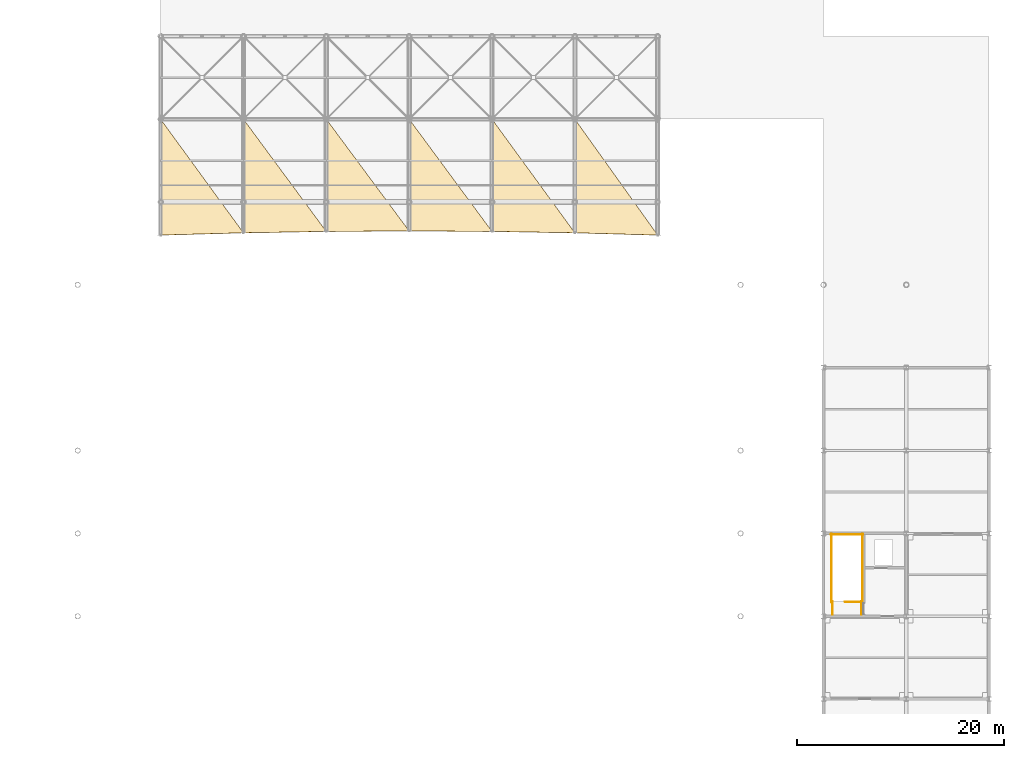
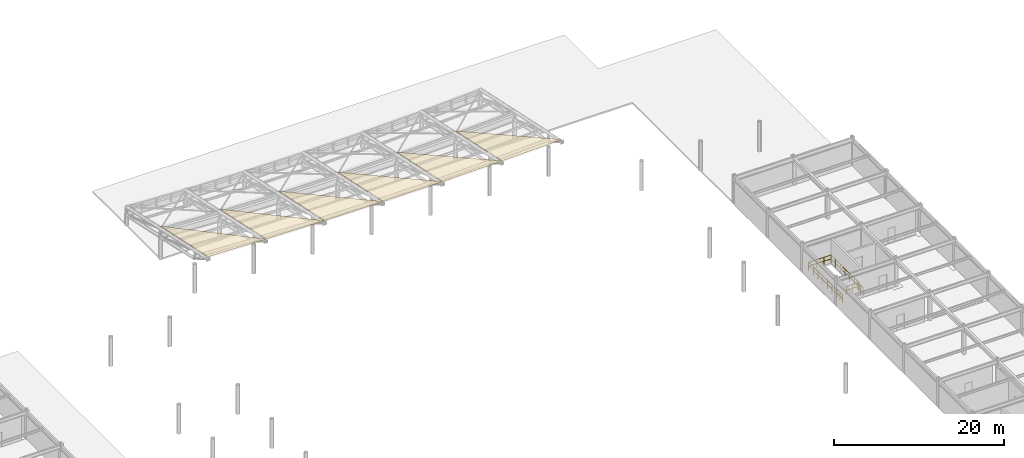
# One storey, part 53 of 54: 6 coverings, 6 railings, 1 element without a shape of its own.
"""IFC4 building model written with IfcOpenShell, lengths in metres."""

from ifc_helpers import new_model, si_unit, direction, frame, origin, origin_2d, place, context, subcontext, project, spatial, polyline, circle, outline, extrude, material, layer, layer_set, type_object, element, aggregate, save


model = new_model("IFC4")

# Units and contexts
model_context = context("Model", 3, precision=1e-05, world=origin(), true_north=direction((0.0, 1.0)))
body_context = subcontext(model_context, "Body", "Model", "MODEL_VIEW")
ifc_project = project(units=[si_unit("LENGTHUNIT", "METRE"), si_unit("AREAUNIT", "SQUARE_METRE"), si_unit("VOLUMEUNIT", "CUBIC_METRE"), si_unit("PLANEANGLEUNIT", "RADIAN"), si_unit("MASSUNIT", "GRAM", prefix="KILO")], contexts=[model_context])

# Site, building, storey
site_placement = place(None, origin())
site = spatial("IfcSite", under=ifc_project, at=site_placement, CompositionType="ELEMENT")
building_placement = place(site_placement, origin())
building = spatial("IfcBuilding", under=site, at=building_placement, Name="Haebicheon Civic Stadium", CompositionType="ELEMENT")
storey_placement = place(building_placement, frame((0.0, 0.0, 22.800048828125)))
storey = spatial("IfcBuildingStorey", under=building, at=storey_placement, Name="L06", CompositionType="ELEMENT", Elevation=22.800048828125)

# Roof, coverings
ifc_material_1 = material(Name="White painted steel SM490", Category="steel")
roof_type = type_object("IfcRoofType", Name="ROOF-WING-CANOPY", PredefinedType="FREEFORM", material=ifc_material_1)
roof_placement = place(storey_placement, origin())
roof = element("IfcRoof", 1, at=roof_placement, inside=storey, type_object=roof_type, material=ifc_material_1, Name="North Goal-Curve Wing Canopy", PredefinedType="FREEFORM")
ifc_material_2 = material(Name="White fluoropolymer coated steel SM490", Category="steel")
ifc_layer = layer(ifc_material_2, 0.02001953125, Name="White fluoropolymer coated steel SM490")
ifc_layer_set = layer_set([ifc_layer], Name="White fluoropolymer coated steel SM490")
covering_type = type_object("IfcCoveringType", Name="COV-CAN-MEM", PredefinedType="ROOFING", material=ifc_layer_set)
covering_1_placement = place(storey_placement, frame((80.0, 152.0, 4.679931640625), z_axis=(0.044844821103, 0.209982700605, 0.976676101616), x_axis=(0.0, -0.977659661495, 0.210194163299)))
covering_1 = element("IfcCovering", 2, at=covering_1_placement, type_object=covering_type, material=ifc_layer_set, Name="CAN-NORTH canopy coated steel membrane 1", PredefinedType="ROOFING", context=body_context, shape_type="SweptSolid", body=[
    extrude(outline(polyline([(0.0, 0.0), (11.455879395437805, 1.3877787807814457e-17), (11.151674632276901, 8.00805638535099), (0.0, 0.0)])), origin(), (0.0, 0.0, -1.0), 0.02001953125),
])
covering_2_placement = place(storey_placement, frame((88.0, 152.0, 4.31298828125), z_axis=(0.026872116735, 0.210085694618, 0.97731360896), x_axis=(0.0, -0.977666664467, 0.210161588283)))
covering_2 = element("IfcCovering", 3, at=covering_2_placement, type_object=covering_type, material=ifc_layer_set, Name="CAN-NORTH canopy coated steel membrane 2", PredefinedType="ROOFING", context=body_context, shape_type="SweptSolid", body=[
    extrude(outline(polyline([(0.0, 0.0), (11.22880399091171, 0.0), (11.045480344121431, 8.002890007904712), (0.0, 0.0)])), origin(), (0.0, 0.0, -1.0), 0.02001953125),
])
covering_3_placement = place(storey_placement, frame((96.0, 152.0, 4.093017578125), z_axis=(0.008870098946, 0.210153622747, 0.977628137991), x_axis=(0.0, -0.977666599494, 0.210161890537)))
covering_3 = element("IfcCovering", 4, at=covering_3_placement, type_object=covering_type, material=ifc_layer_set, Name="CAN-NORTH canopy coated steel membrane 3", PredefinedType="ROOFING", context=body_context, shape_type="SweptSolid", body=[
    extrude(outline(polyline([(0.0, 0.0), (11.091709736466468, 0.0), (11.031506029647808, 8.000314733193475), (0.0, 0.0)])), origin(), (0.0, 0.0, -1.0), 0.02001953125),
])
covering_4_placement = place(storey_placement, frame((104.0, 152.0, 4.02001953125), z_axis=(-0.00886982364, 0.21018939142, 0.977620450872), x_axis=(0.0, -0.977658909685, 0.210197660104)))
covering_4 = element("IfcCovering", 5, at=covering_4_placement, type_object=covering_type, material=ifc_layer_set, Name="CAN-NORTH canopy coated steel membrane 4", PredefinedType="ROOFING", context=body_context, shape_type="SweptSolid", body=[
    extrude(outline(polyline([(0.0, 0.0), (11.046847444578171, 0.0), (11.107053747688093, 8.000314713655529), (0.0, 0.0)])), origin(), (0.0, 0.0, -1.0), 0.02001953125),
])
covering_5_placement = place(storey_placement, frame((112.0, 152.0, 4.093017578125), z_axis=(-0.026872109659, 0.210085996803, 0.977313544196), x_axis=(0.0, -0.977666599494, 0.210161890537)))
covering_5 = element("IfcCovering", 6, at=covering_5_placement, type_object=covering_type, material=ifc_layer_set, Name="CAN-NORTH canopy coated steel membrane 5", PredefinedType="ROOFING", context=body_context, shape_type="SweptSolid", body=[
    extrude(outline(polyline([(0.0, 0.0), (11.091709736466468, -6.938893903907228e-18), (11.275033449742606, 8.002890006381708), (0.0, 0.0)])), origin(), (0.0, 0.0, -1.0), 0.02001953125),
])
covering_6_placement = place(storey_placement, frame((120.0, 152.0, 4.31298828125), z_axis=(-0.044846084243, 0.209950146444, 0.976683042105), x_axis=(0.0, -0.977666664467, 0.210161588283)))
covering_6 = element("IfcCovering", 7, at=covering_6_placement, type_object=covering_type, material=ifc_layer_set, Name="CAN-NORTH canopy coated steel membrane 6", PredefinedType="ROOFING", context=body_context, shape_type="SweptSolid", body=[
    extrude(outline(polyline([(0.0, 0.0), (11.22880399091171, 0.0), (11.532996788295, 8.008056839890104), (0.0, 0.0)])), origin(), (0.0, 0.0, -1.0), 0.02001953125),
])
aggregate(roof, [covering_1, covering_2, covering_3, covering_4, covering_5, covering_6])

# Railings
ifc_material_3 = material(Name="Galvanised painted steel SM355", Category="steel")
railing_type = type_object("IfcRailingType", Name="RL-GRD-1150", PredefinedType="GUARDRAIL", material=ifc_material_3)
railing_1_placement = place(storey_placement, frame((147.739990234375, 105.39990234375, 0.0)))
element("IfcRailing", 8, at=railing_1_placement, inside=storey, type_object=railing_type, material=ifc_material_3, Name="L06 ST-11 top well guard 1", PredefinedType="GUARDRAIL", context=body_context, shape_type="SweptSolid", body=[
    extrude(circle(Radius=0.02392578125, at=origin_2d()), frame((0.0, 0.0, 1.1259765625), z_axis=(-1.0, 0.0, 0.0), x_axis=(0.0, -1.0, 0.0)), (0.0, 0.0, 1.0), 1.639892578125),
    extrude(circle(Radius=0.02392578125, at=origin_2d()), frame((0.0, 0.0, 0.574951171875), z_axis=(-1.0, 0.0, 0.0), x_axis=(0.0, -1.0, 0.0)), (0.0, 0.0, 1.0), 1.639892578125),
    extrude(circle(Radius=0.02099609375, at=origin_2d()), origin(), (0.0, 0.0, 1.0), 1.101806640625),
    extrude(circle(Radius=0.02099609375, at=origin_2d()), frame((-0.81982421875, 0.0, 0.0)), (0.0, 0.0, 1.0), 1.101806640625),
    extrude(circle(Radius=0.02099609375, at=origin_2d()), frame((-1.639892578125, 0.0, 0.0)), (0.0, 0.0, 1.0), 1.101806640625),
])
for number, where, name in (
    (9, (147.7900390625, 105.35009765625, 0.0), "L06 ST-11 top well guard 2"),
    (10, (144.7900390625, 105.35009765625, 0.0), "L06 ST-11 top well guard 3"),
):
    element("IfcRailing", number, at=place(storey_placement, frame(where)), inside=storey, type_object=railing_type, material=ifc_material_3, Name=name, PredefinedType="GUARDRAIL", context=body_context, shape_type="SweptSolid", body=[
        extrude(circle(Radius=0.02392578125, at=origin_2d()), frame((0.0, 0.0, 1.1259765625), z_axis=(0.0, 1.0, 0.0), x_axis=(-1.0, 0.0, 0.0)), (0.0, 0.0, 1.0), 6.58984375),
        extrude(circle(Radius=0.02392578125, at=origin_2d()), frame((0.0, 0.0, 0.574951171875), z_axis=(0.0, 1.0, 0.0), x_axis=(-1.0, 0.0, 0.0)), (0.0, 0.0, 1.0), 6.58984375),
        extrude(circle(Radius=0.02099609375, at=origin_2d()), origin(), (0.0, 0.0, 1.0), 1.101806640625),
        extrude(circle(Radius=0.02099609375, at=origin_2d()), frame((0.0, 1.098388671875, 0.0)), (0.0, 0.0, 1.0), 1.101806640625),
        extrude(circle(Radius=0.02099609375, at=origin_2d()), frame((0.0, 2.196533203125, 0.0)), (0.0, 0.0, 1.0), 1.101806640625),
        extrude(circle(Radius=0.02099609375, at=origin_2d()), frame((0.0, 3.294921875, 0.0)), (0.0, 0.0, 1.0), 1.101806640625),
        extrude(circle(Radius=0.02099609375, at=origin_2d()), frame((0.0, 4.393310546875, 0.0)), (0.0, 0.0, 1.0), 1.101806640625),
        extrude(circle(Radius=0.02099609375, at=origin_2d()), frame((0.0, 5.491455078125, 0.0)), (0.0, 0.0, 1.0), 1.101806640625),
        extrude(circle(Radius=0.02099609375, at=origin_2d()), frame((0.0, 6.58984375, 0.0)), (0.0, 0.0, 1.0), 1.101806640625),
    ])
railing_2_placement = place(storey_placement, frame((147.840087890625, 111.889892578125, 0.0)))
element("IfcRailing", 11, at=railing_2_placement, inside=storey, type_object=railing_type, material=ifc_material_3, Name="L06 ST-11 top well guard 4", PredefinedType="GUARDRAIL", context=body_context, shape_type="SweptSolid", body=[
    extrude(circle(Radius=0.02392578125, at=origin_2d()), frame((0.0, 0.0, 1.1259765625), z_axis=(-1.0, 0.0, 0.0), x_axis=(0.0, -1.0, 0.0)), (0.0, 0.0, 1.0), 3.10009765625),
    extrude(circle(Radius=0.02392578125, at=origin_2d()), frame((0.0, 0.0, 0.574951171875), z_axis=(-1.0, 0.0, 0.0), x_axis=(0.0, -1.0, 0.0)), (0.0, 0.0, 1.0), 3.10009765625),
    extrude(circle(Radius=0.02099609375, at=origin_2d()), origin(), (0.0, 0.0, 1.0), 1.101806640625),
    extrude(circle(Radius=0.02099609375, at=origin_2d()), frame((-1.033447265625, 0.0, 0.0)), (0.0, 0.0, 1.0), 1.101806640625),
    extrude(circle(Radius=0.02099609375, at=origin_2d()), frame((-2.066650390625, 0.0, 0.0)), (0.0, 0.0, 1.0), 1.101806640625),
    extrude(circle(Radius=0.02099609375, at=origin_2d()), frame((-3.10009765625, 0.0, 0.0)), (0.0, 0.0, 1.0), 1.101806640625),
])
for number, where, name in (
    (12, (147.68994140625, 104.159912109375, 0.0), "L06 ST-11 top well guard 5"),
    (13, (144.889892578125, 104.159912109375, 0.0), "L06 ST-11 top well guard 6"),
):
    element("IfcRailing", number, at=place(storey_placement, frame(where)), inside=storey, type_object=railing_type, material=ifc_material_3, Name=name, PredefinedType="GUARDRAIL", context=body_context, shape_type="SweptSolid", body=[
        extrude(circle(Radius=0.02392578125, at=origin_2d()), frame((0.0, 0.0, 1.1259765625), z_axis=(0.0, 1.0, 0.0), x_axis=(-1.0, 0.0, 0.0)), (0.0, 0.0, 1.0), 1.2900390625),
        extrude(circle(Radius=0.02392578125, at=origin_2d()), frame((0.0, 0.0, 0.574951171875), z_axis=(0.0, 1.0, 0.0), x_axis=(-1.0, 0.0, 0.0)), (0.0, 0.0, 1.0), 1.2900390625),
        extrude(circle(Radius=0.02099609375, at=origin_2d()), origin(), (0.0, 0.0, 1.0), 1.101806640625),
        extrude(circle(Radius=0.02099609375, at=origin_2d()), frame((0.0, 0.64501953125, 0.0)), (0.0, 0.0, 1.0), 1.101806640625),
        extrude(circle(Radius=0.02099609375, at=origin_2d()), frame((0.0, 1.2900390625, 0.0)), (0.0, 0.0, 1.0), 1.101806640625),
    ])

save(model, "model.ifc")
